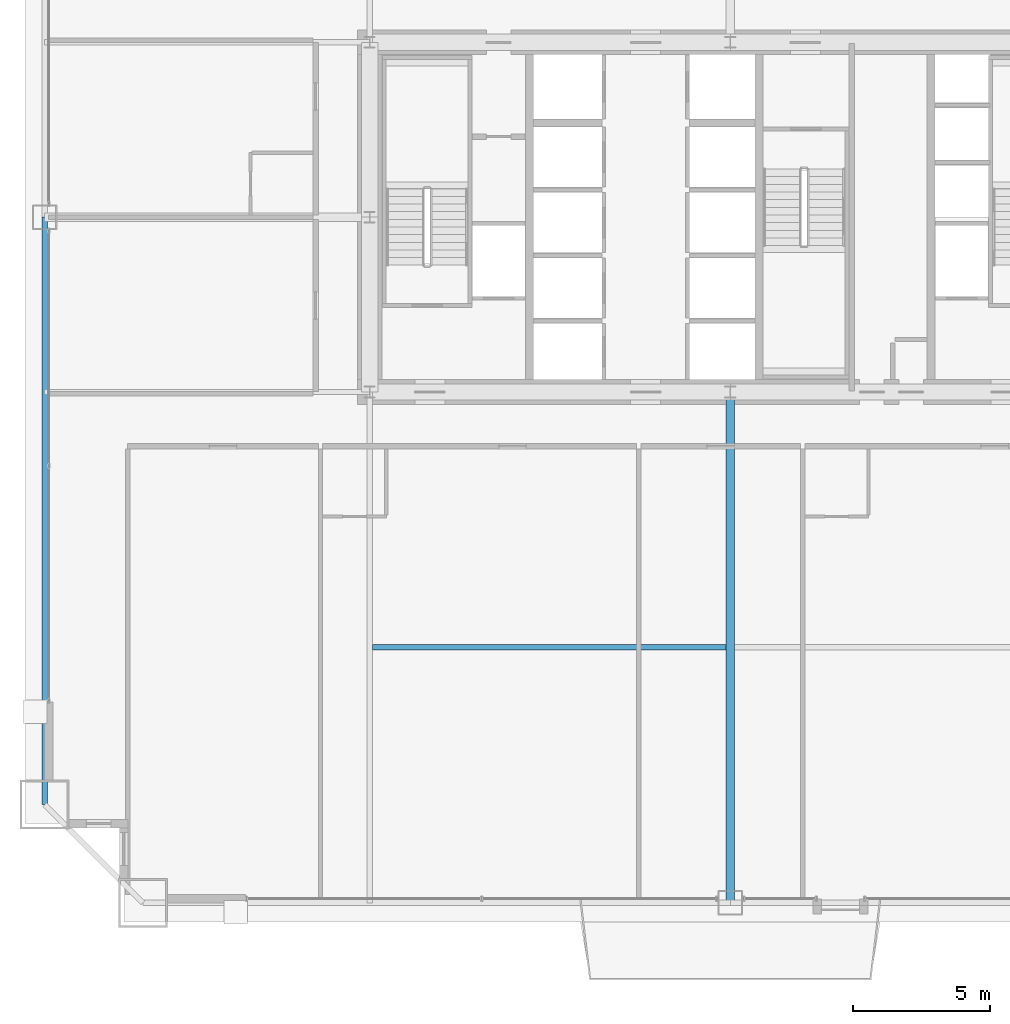
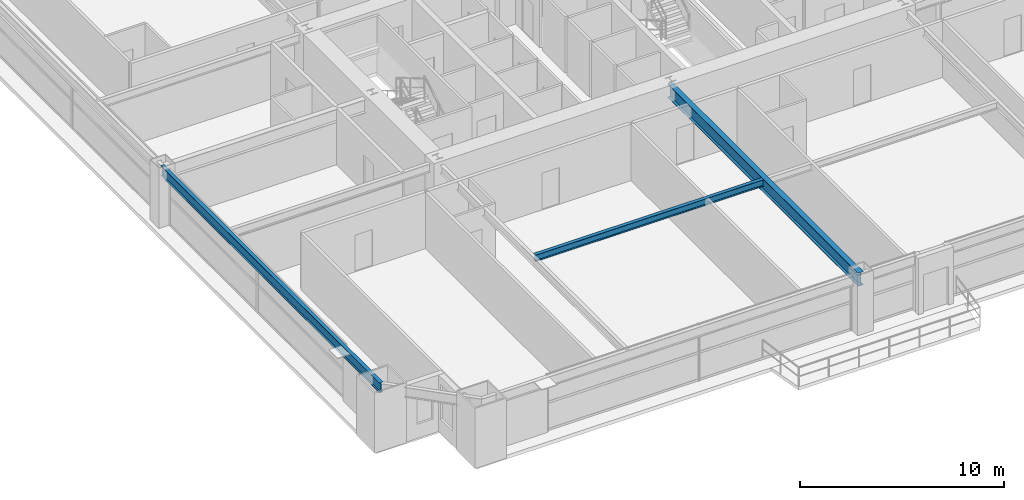
# One storey, part 10 of 43: 3 beams.
"""IFC4 building model written with IfcOpenShell, lengths in metres."""

import ifcopenshell
import ifcopenshell.guid

model = None  # the IFC model being written
_history = None  # IfcOwnerHistory: only IFC2X3 demands one
_inside = {}  # id of a spatial element -> (the spatial element, [elements in it])
_under = {}  # id of a project, library or spatial element -> (it, [spatial elements below it])
_declared = {}  # id of a project -> (the project, [libraries it declares])
_typed = {}  # id of a type object -> (the type object, [elements of that type])
_made_of = {}  # id of a material, layer set ... -> (it, [elements and type objects made of it])


def new_model(schema):
    """Start an empty IFC model of exactly this schema.

    Asked for "IFC4X3", IfcOpenShell would pick the latest addendum, in which some entities
    have other attributes; the version numbers below select the first issue.
    IFC2X3 requires an IfcOwnerHistory on every rooted entity: one is made here for all.
    """
    global model, _history
    if schema == "IFC4X3":
        model = ifcopenshell.file(schema_version=(4, 3, 0, 0))
    else:
        model = ifcopenshell.file(schema=schema)
    _inside.clear()
    _under.clear()
    _declared.clear()
    _typed.clear()
    _made_of.clear()
    _history = None
    if model.schema == "IFC2X3":
        org = make("IfcOrganization", Name="unknown")
        user = make(
            "IfcPersonAndOrganization",
            ThePerson=make("IfcPerson", FamilyName="unknown"),
            TheOrganization=org,
        )
        app = make(
            "IfcApplication",
            ApplicationDeveloper=org,
            Version="unknown",
            ApplicationFullName="unknown",
            ApplicationIdentifier="unknown",
        )
        _history = make(
            "IfcOwnerHistory",
            OwningUser=user,
            OwningApplication=app,
            ChangeAction="ADDED",
            CreationDate=0,
        )
    return model


def make(cls, **values):
    """One entity of the class cls with the attributes given. An attribute that is None is left unset."""
    return model.create_entity(
        cls, **{name: value for name, value in values.items() if value is not None}
    )


def rooted(cls, **values):
    """An entity with a GlobalId (a new one), such as an element, a storey or a relation."""
    return make(cls, GlobalId=ifcopenshell.guid.new(), OwnerHistory=_history, **values)


def si_unit(unit_type, name, prefix=None):
    """IfcSIUnit, for example si_unit("LENGTHUNIT", "METRE", prefix="MILLI")."""
    return make("IfcSIUnit", UnitType=unit_type, Prefix=prefix, Name=name)


def assignment(units):
    """IfcUnitAssignment: the units of a project."""
    return None if units is None else make("IfcUnitAssignment", Units=units)


def point(xyz):
    """IfcCartesianPoint."""
    return None if xyz is None else make("IfcCartesianPoint", Coordinates=xyz)


def direction(xyz):
    """IfcDirection."""
    return None if xyz is None else make("IfcDirection", DirectionRatios=xyz)


def frame(location, z_axis=None, x_axis=None):
    """IfcAxis2Placement3D, a coordinate frame: its origin and axes. An axis left out is left unset."""
    return make(
        "IfcAxis2Placement3D",
        Location=point(location),
        Axis=direction(z_axis),
        RefDirection=direction(x_axis),
    )


def frame_2d(location, x_axis=None):
    """IfcAxis2Placement2D, a coordinate frame in the plane: its origin and x axis."""
    return make(
        "IfcAxis2Placement2D", Location=point(location), RefDirection=direction(x_axis)
    )


def origin():
    """The frame at (0, 0, 0) with its axes left unset."""
    return frame((0.0, 0.0, 0.0))


def origin_2d():
    """The frame at (0, 0) in the plane with its x axis left unset."""
    return frame_2d((0.0, 0.0))


def place(relative_to, where):
    """IfcLocalPlacement: puts the frame where relative to a parent placement (None: the world)."""
    return make(
        "IfcLocalPlacement", PlacementRelTo=relative_to, RelativePlacement=where
    )


def context(
    kind, dimensions, precision=None, world=None, true_north=None, identifier=None
):
    """IfcGeometricRepresentationContext, for example the 3D "Model" context."""
    return make(
        "IfcGeometricRepresentationContext",
        ContextIdentifier=identifier,
        ContextType=kind,
        CoordinateSpaceDimension=dimensions,
        Precision=precision,
        WorldCoordinateSystem=world,
        TrueNorth=true_north,
    )


def subcontext(parent, identifier, kind, view, scale=None):
    """IfcGeometricRepresentationSubContext, for example "Body" below "Model"."""
    return make(
        "IfcGeometricRepresentationSubContext",
        ContextIdentifier=identifier,
        ContextType=kind,
        ParentContext=parent,
        TargetScale=scale,
        TargetView=view,
    )


def project(units=None, contexts=None):
    """IfcProject with its units and contexts."""
    return rooted(
        "IfcProject",
        Name="project",
        RepresentationContexts=contexts,
        UnitsInContext=assignment(units),
    )


def spatial(cls, under=None, at=None, **own):
    """A site, building, storey or space (cls), placed at a placement, below another one or the project."""
    s = rooted(cls, ObjectPlacement=at, **own)
    if under is not None:
        _under.setdefault(under.id(), (under, []))[1].append(s)
    return s


def profile(cls, at=None, kind="AREA", **sizes):
    """A parametric profile (cls). Its sizes go by their IFC names, for example OverallWidth=200.0."""
    return make(cls, ProfileType=kind, Position=at, **sizes)


def i_section(**sizes):
    """IfcIShapeProfileDef."""
    return profile("IfcIShapeProfileDef", **sizes)


def extrude(swept, where, along, depth):
    """IfcExtrudedAreaSolid: the profile swept, set in the frame where, extruded along a direction by depth."""
    return make(
        "IfcExtrudedAreaSolid",
        SweptArea=swept,
        Position=where,
        ExtrudedDirection=direction(along),
        Depth=depth,
    )


def shape(context_of_items, identifier, shape_type, items):
    """IfcShapeRepresentation: the items that make up one representation, for example the "Body"."""
    return make(
        "IfcShapeRepresentation",
        ContextOfItems=context_of_items,
        RepresentationIdentifier=identifier,
        RepresentationType=shape_type,
        Items=items,
    )


def source(mapping_origin, context_of_items, identifier, shape_type, items):
    """IfcRepresentationMap: a shape defined once, which mapped items show again and again."""
    return make(
        "IfcRepresentationMap",
        MappingOrigin=mapping_origin,
        MappedRepresentation=shape(context_of_items, identifier, shape_type, items),
    )


def transform(
    local_origin,
    x_axis=None,
    y_axis=None,
    z_axis=None,
    scale=None,
    scale2=None,
    scale3=None,
    uniform=True,
):
    """IfcCartesianTransformationOperator3D, or its non-uniform kind. x_axis, y_axis, z_axis: its Axis1, 2, 3."""
    if uniform:
        return make(
            "IfcCartesianTransformationOperator3D",
            Axis1=direction(x_axis),
            Axis2=direction(y_axis),
            LocalOrigin=point(local_origin),
            Scale=scale,
            Axis3=direction(z_axis),
        )
    return make(
        "IfcCartesianTransformationOperator3DnonUniform",
        Axis1=direction(x_axis),
        Axis2=direction(y_axis),
        LocalOrigin=point(local_origin),
        Scale=scale,
        Axis3=direction(z_axis),
        Scale2=scale2,
        Scale3=scale3,
    )


def mapped(mapping_source, mapping_target):
    """IfcMappedItem: shows the shape of a source again, moved by a transform."""
    return make(
        "IfcMappedItem", MappingSource=mapping_source, MappingTarget=mapping_target
    )


def material(Name=None, Category=None):
    """IfcMaterial."""
    return make("IfcMaterial", Name=Name, Category=Category)


def material_profile(
    of_material, cross_section, Name=None, Category=None, Priority=None
):
    """IfcMaterialProfile: a cross section and its material."""
    return make(
        "IfcMaterialProfile",
        Name=Name,
        Material=of_material,
        Profile=cross_section,
        Priority=Priority,
        Category=Category,
    )


def profile_set(profiles, Name=None, composite=None):
    """IfcMaterialProfileSet."""
    return make(
        "IfcMaterialProfileSet",
        Name=Name,
        MaterialProfiles=profiles,
        CompositeProfile=composite,
    )


def made_of(thing, what):
    """Note that an element or type object is made of a material, layer set ...; save() writes the relation."""
    if what is not None:
        _made_of.setdefault(what.id(), (what, []))[1].append(thing)
    return thing


def type_object(cls, material=None, **own):
    """A type object (cls), such as IfcWallType, which elements share."""
    return made_of(rooted(cls, **own), material)


def element(
    cls,
    number,
    at=None,
    inside=None,
    cuts=None,
    type_object=None,
    material=None,
    context=None,
    identifier="Body",
    shape_type=None,
    held_by="IfcProductDefinitionShape",
    body=None,
    shapes=None,
    **own,
):
    """One element of the class cls, such as IfcWall. Its Tag is "e" and its number.

    at: its placement. inside: the storey or other place that contains it. cuts: it is an
    opening in that element (IfcRelVoidsElement). A single representation is given by context,
    identifier, shape_type and body (its items); several are given by shapes. held_by: the class
    of the entity that holds the representations. save() writes the other relations.
    """
    e = rooted(cls, Tag="e%d" % number, ObjectPlacement=at, **own)
    if body is not None:
        shapes = [shape(context, identifier, shape_type, body)]
    if shapes is not None:
        e.Representation = make(held_by, Representations=shapes)
    if inside is not None:
        _inside.setdefault(inside.id(), (inside, []))[1].append(e)
    if cuts is not None:
        rooted(
            "IfcRelVoidsElement", RelatingBuildingElement=cuts, RelatedOpeningElement=e
        )
    if type_object is not None:
        _typed.setdefault(type_object.id(), (type_object, []))[1].append(e)
    return made_of(e, material)


def aggregate(whole, parts):
    """IfcRelAggregates: a whole, such as a stair, and the parts it consists of."""
    return rooted("IfcRelAggregates", RelatingObject=whole, RelatedObjects=parts)


def save(model, path):
    """Write the relations noted so far, then the file.

    IfcRelAggregates (storeys below a building ...), IfcRelContainedInSpatialStructure (elements
    in a storey), IfcRelDefinesByType, IfcRelAssociatesMaterial and IfcRelDeclares: one each for
    every whole, place, type object, material and project.
    """
    for whole, parts in _under.values():
        aggregate(whole, parts)
    for where, things in _inside.values():
        rooted(
            "IfcRelContainedInSpatialStructure",
            RelatedElements=things,
            RelatingStructure=where,
        )
    for kind, things in _typed.values():
        rooted("IfcRelDefinesByType", RelatedObjects=things, RelatingType=kind)
    for what, things in _made_of.values():
        rooted("IfcRelAssociatesMaterial", RelatedObjects=things, RelatingMaterial=what)
    for by, libraries in _declared.values():
        rooted("IfcRelDeclares", RelatingContext=by, RelatedDefinitions=libraries)
    model.write(path)


model = new_model("IFC4")

# Units and contexts
model_context = context("Model", 3, precision=1e-05, world=origin(), true_north=direction((0.0, 1.0)))
body_context = subcontext(model_context, "Body", "Model", "MODEL_VIEW")
ifc_project = project(units=[si_unit("LENGTHUNIT", "METRE"), si_unit("AREAUNIT", "SQUARE_METRE"), si_unit("VOLUMEUNIT", "CUBIC_METRE"), si_unit("PLANEANGLEUNIT", "RADIAN"), si_unit("MASSUNIT", "GRAM", prefix="KILO"), si_unit("THERMODYNAMICTEMPERATUREUNIT", "KELVIN"), si_unit("POWERUNIT", "WATT")], contexts=[model_context])

# Site, building, storey
site_placement = place(None, origin())
site = spatial("IfcSite", under=ifc_project, at=site_placement, CompositionType="ELEMENT")
building_placement = place(site_placement, origin())
building = spatial("IfcBuilding", under=site, at=building_placement, Name="Yuzanri Waterfront Tower", CompositionType="ELEMENT")
storey_placement = place(building_placement, frame((0.0, 0.0, 78.39990234375)))
storey = spatial("IfcBuildingStorey", under=building, at=storey_placement, Name="L20", CompositionType="ELEMENT", Elevation=78.39990234375)

# Beams
ifc_material_1 = material(Name="Steel Q355B", Category="steel")
ifc_material_profile_1 = material_profile(ifc_material_1, i_section(OverallWidth=0.199951171875, OverallDepth=0.60009765625, WebThickness=0.010986328125, FlangeThickness=0.01708984375, at=origin_2d()), Name="HN 600x200x11x17")
ifc_profile_set_1 = profile_set([ifc_material_profile_1], Name="Steel Q355B")
beam_type_1 = type_object("IfcBeamType", Name="Perimeter Spandrel Q355B HN 600x200", PredefinedType="SPANDREL", material=ifc_profile_set_1)
shared_shape_1 = source(origin(), body_context, "Body", "SweptSolid", [
    extrude(i_section(OverallWidth=0.199951171875, OverallDepth=0.60009765625, WebThickness=0.010986328125, FlangeThickness=0.01708984375, at=origin_2d()), origin(), (0.0, 0.0, 1.0), 21.5),
])
beam_1_placement = place(storey_placement, frame((11.89990234375, 25.800048828125, 3.080078125), z_axis=(0.0, -1.0, 0.0), x_axis=(1.0, 0.0, 0.0)))
element("IfcBeam", 1, at=beam_1_placement, inside=storey, type_object=beam_type_1, Name="L20 Perimeter Spandrel W2-W1", PredefinedType="SPANDREL", context=body_context, shape_type="MappedRepresentation", body=[
    mapped(shared_shape_1, transform((0.0, 0.0, 0.0), scale=1.0)),
])
ifc_material_2 = material(Name="Steel Q355B", Category="steel")
ifc_material_profile_2 = material_profile(ifc_material_2, i_section(OverallWidth=0.300048828125, OverallDepth=0.800048828125, WebThickness=0.013916015625, FlangeThickness=0.02587890625, at=origin_2d()), Name="HN 800x300x14x26")
ifc_profile_set_2 = profile_set([ifc_material_profile_2], Name="Steel Q355B")
beam_type_2 = type_object("IfcBeamType", Name="Primary Floor Girder Q355B HN 800x300", PredefinedType="BEAM", material=ifc_profile_set_2)
shared_shape_2 = source(origin(), body_context, "Body", "SweptSolid", [
    extrude(i_section(OverallWidth=0.300048828125, OverallDepth=0.800048828125, WebThickness=0.013916015625, FlangeThickness=0.02587890625, at=origin_2d()), origin(), (0.0, 0.0, 1.0), 18.699951171875),
])
beam_2_placement = place(storey_placement, frame((37.0, 19.39990234375, 2.97998046875), z_axis=(0.0, -1.0, 0.0), x_axis=(1.0, 0.0, 0.0)))
element("IfcBeam", 2, at=beam_2_placement, inside=storey, type_object=beam_type_2, Name="L20 South Grid Girder", PredefinedType="BEAM", context=body_context, shape_type="MappedRepresentation", body=[
    mapped(shared_shape_2, transform((0.0, 0.0, 0.0), scale=1.0)),
])
ifc_material_3 = material(Name="Steel Q355B", Category="steel")
ifc_material_profile_3 = material_profile(ifc_material_3, i_section(OverallWidth=0.199951171875, OverallDepth=0.39990234375, WebThickness=0.008056640625, FlangeThickness=0.012939453125, at=origin_2d()), Name="HN 400x200x8x13")
ifc_profile_set_3 = profile_set([ifc_material_profile_3], Name="Steel Q355B")
beam_type_3 = type_object("IfcBeamType", Name="Floor Joist Q355B HN 400x200", PredefinedType="JOIST", material=ifc_profile_set_3)
shared_shape_3 = source(origin(), body_context, "Body", "SweptSolid", [
    extrude(i_section(OverallWidth=0.199951171875, OverallDepth=0.39990234375, WebThickness=0.008056640625, FlangeThickness=0.012939453125, at=origin_2d()), origin(), (0.0, 0.0, 1.0), 12.9501953125),
])
beam_3_placement = place(storey_placement, frame((23.89990234375, 10.050048828125, 3.18017578125), z_axis=(1.0, 0.0, 0.0), x_axis=(0.0, 1.0, 0.0)))
element("IfcBeam", 3, at=beam_3_placement, inside=storey, type_object=beam_type_3, Name="L20 South Bay Joist W", PredefinedType="JOIST", context=body_context, shape_type="MappedRepresentation", body=[
    mapped(shared_shape_3, transform((0.0, 0.0, 0.0), scale=1.0)),
])

save(model, "model.ifc")
